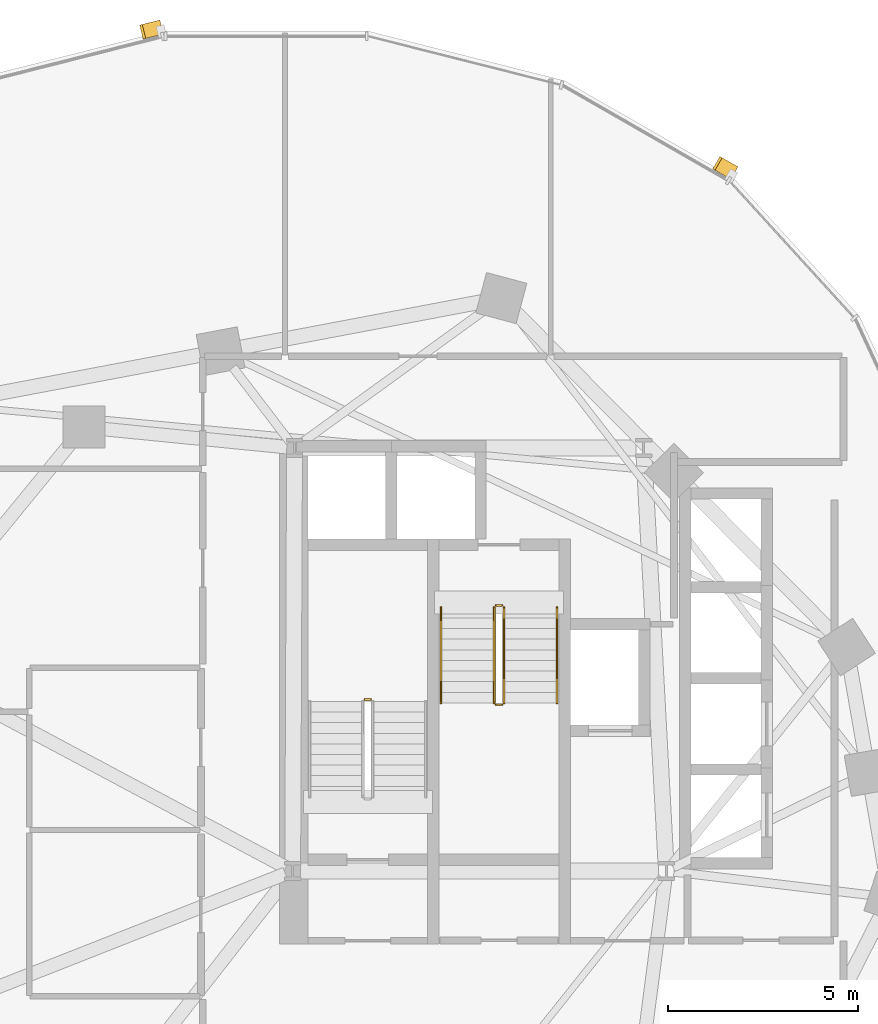
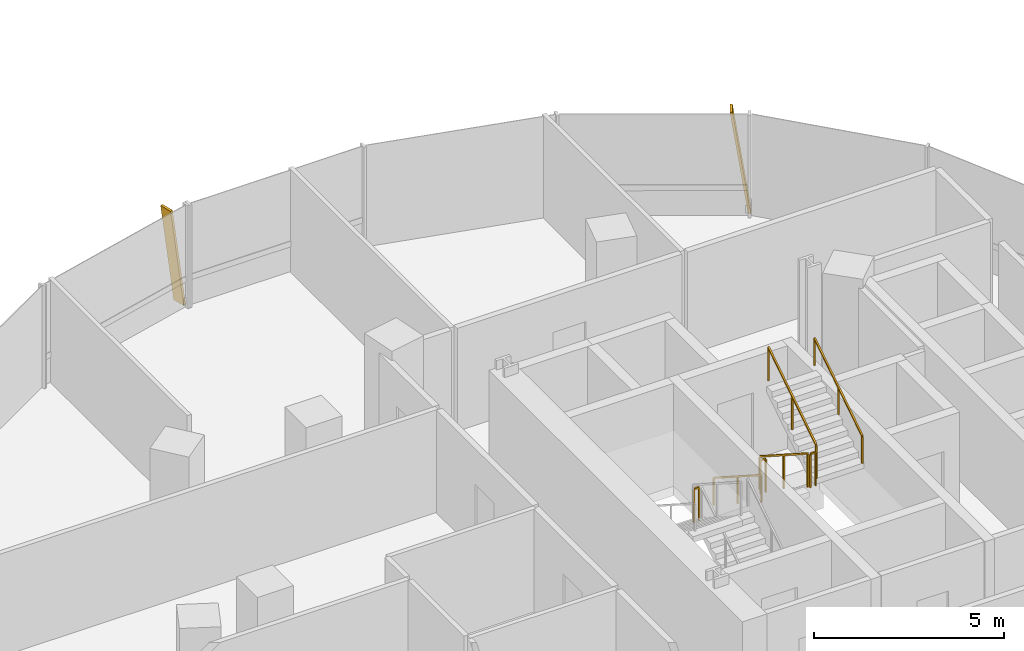
# One storey, part 19 of 21: 7 railings, 2 shading devices.
"""IFC4 building model written with IfcOpenShell, lengths in metres."""

from ifc_helpers import new_model, si_unit, direction, frame, origin, origin_2d, place, context, subcontext, project, spatial, rectangle, extrude, material, material_profile, profile_set, type_object, element, save


model = new_model("IFC4")

# Units and contexts
model_context = context("Model", 3, precision=1e-05, world=origin(), true_north=direction((0.0, 1.0)))
body_context = subcontext(model_context, "Body", "Model", "MODEL_VIEW")
ifc_project = project(units=[si_unit("LENGTHUNIT", "METRE"), si_unit("AREAUNIT", "SQUARE_METRE"), si_unit("VOLUMEUNIT", "CUBIC_METRE"), si_unit("PLANEANGLEUNIT", "RADIAN"), si_unit("MASSUNIT", "GRAM", prefix="KILO"), si_unit("THERMODYNAMICTEMPERATUREUNIT", "KELVIN"), si_unit("POWERUNIT", "WATT")], contexts=[model_context])

# Site, building, storey
site_placement = place(None, origin())
site = spatial("IfcSite", under=ifc_project, at=site_placement, CompositionType="ELEMENT")
building_placement = place(site_placement, origin())
building = spatial("IfcBuilding", under=site, at=building_placement, Name="Cundina Bronze Exchange", CompositionType="ELEMENT")
storey_placement = place(building_placement, frame((0.0, 0.0, 121.39990234375)))
storey = spatial("IfcBuildingStorey", under=building, at=storey_placement, Name="L31", CompositionType="ELEMENT", Elevation=121.39990234375)

# Railings
ifc_material_1 = material(Name="Steel ASTM A36 Painted", Category="steel")
railing_type_1 = type_object("IfcRailingType", Name="RLG-HND-900", PredefinedType="HANDRAIL", material=ifc_material_1)
railing_1_placement = place(storey_placement, frame((-27.389892578125, 10.85009765625, 0.18017578125)))
element("IfcRailing", 1, at=railing_1_placement, inside=storey, type_object=railing_type_1, Name="L31 ST-W2 stair handrail 1", PredefinedType="HANDRAIL", context=body_context, shape_type="SweptSolid", body=[
    extrude(rectangle(XDim=0.048095703125, YDim=0.048095703125, at=origin_2d()), frame((0.0, 0.0, 0.8759765625), z_axis=(0.0, -0.841199657755, 0.540724639528), x_axis=(1.0, 0.0, 0.0)), (0.0, 0.0, 1.0), 2.995849609375),
    extrude(rectangle(XDim=0.0419921875, YDim=0.0419921875, at=origin_2d()), origin(), (0.0, 0.0, 1.0), 0.851806640625),
    extrude(rectangle(XDim=0.0419921875, YDim=0.0419921875, at=origin_2d()), frame((0.0, -1.260009765625, 0.81005859375)), (0.0, 0.0, 1.0), 0.851806640625),
    extrude(rectangle(XDim=0.0419921875, YDim=0.0419921875, at=origin_2d()), frame((0.0, -2.52001953125, 1.619873046875)), (0.0, 0.0, 1.0), 0.851806640625),
])
railing_2_placement = place(storey_placement, frame((-24.330078125, 8.330078125, 1.97998046875)))
element("IfcRailing", 2, at=railing_2_placement, inside=storey, type_object=railing_type_1, Name="L31 ST-W2 stair handrail 2", PredefinedType="HANDRAIL", context=body_context, shape_type="SweptSolid", body=[
    extrude(rectangle(XDim=0.048095703125, YDim=0.048095703125, at=origin_2d()), frame((0.0, 0.0, 0.8759765625), z_axis=(0.0, 0.841162588446, 0.540782303519), x_axis=(-1.0, 0.0, 0.0)), (0.0, 0.0, 1.0), 2.995849609375),
    extrude(rectangle(XDim=0.0419921875, YDim=0.0419921875, at=origin_2d()), origin(), (0.0, 0.0, 1.0), 0.851806640625),
    extrude(rectangle(XDim=0.0419921875, YDim=0.0419921875, at=origin_2d()), frame((0.0, 1.260009765625, 0.81005859375)), (0.0, 0.0, 1.0), 0.851806640625),
    extrude(rectangle(XDim=0.0419921875, YDim=0.0419921875, at=origin_2d()), frame((0.0, 2.52001953125, 1.6201171875)), (0.0, 0.0, 1.0), 0.851806640625),
])
railing_type_2 = type_object("IfcRailingType", Name="RLG-STG-1100", PredefinedType="GUARDRAIL", material=ifc_material_1)
railing_3_placement = place(storey_placement, frame((-29.239990234375, 8.419921875, 1.800048828125)))
element("IfcRailing", 3, at=railing_3_placement, inside=storey, type_object=railing_type_2, Name="L31 ST-W1 stair guard 2", PredefinedType="GUARDRAIL", context=body_context, shape_type="SweptSolid", body=[
    extrude(rectangle(XDim=0.048095703125, YDim=0.048095703125, at=origin_2d()), frame((0.0, 0.0, 1.076171875), z_axis=(-1.0, 0.0, 0.0), x_axis=(0.0, -1.0, 0.0)), (0.0, 0.0, 1.0), 0.159912109375),
    extrude(rectangle(XDim=0.0419921875, YDim=0.0419921875, at=origin_2d()), origin(), (0.0, 0.0, 1.0), 1.052001953125),
    extrude(rectangle(XDim=0.0419921875, YDim=0.0419921875, at=origin_2d()), frame((-0.159912109375, 0.0, 0.0)), (0.0, 0.0, 1.0), 1.052001953125),
])
railing_4_placement = place(storey_placement, frame((-25.989990234375, 10.85009765625, 0.18017578125)))
element("IfcRailing", 4, at=railing_4_placement, inside=storey, type_object=railing_type_2, Name="L31 ST-W2 stair guard 1", PredefinedType="GUARDRAIL", context=body_context, shape_type="SweptSolid", body=[
    extrude(rectangle(XDim=0.048095703125, YDim=0.048095703125, at=origin_2d()), frame((0.0, 0.0, 1.076171875), z_axis=(0.0, -0.841199657755, 0.540724639528), x_axis=(1.0, 0.0, 0.0)), (0.0, 0.0, 1.0), 2.995849609375),
    extrude(rectangle(XDim=0.0419921875, YDim=0.0419921875, at=origin_2d()), origin(), (0.0, 0.0, 1.0), 1.052001953125),
    extrude(rectangle(XDim=0.0419921875, YDim=0.0419921875, at=origin_2d()), frame((0.0, -1.260009765625, 0.81005859375)), (0.0, 0.0, 1.0), 1.052001953125),
    extrude(rectangle(XDim=0.0419921875, YDim=0.0419921875, at=origin_2d()), frame((0.0, -2.52001953125, 1.619873046875)), (0.0, 0.0, 1.0), 1.052001953125),
])
railing_5_placement = place(storey_placement, frame((-25.93994140625, 8.280029296875, 1.800048828125)))
element("IfcRailing", 5, at=railing_5_placement, inside=storey, type_object=railing_type_2, Name="L31 ST-W2 stair guard 2", PredefinedType="GUARDRAIL", context=body_context, shape_type="SweptSolid", body=[
    extrude(rectangle(XDim=0.048095703125, YDim=0.048095703125, at=origin_2d()), frame((0.0, 0.0, 1.076171875), z_axis=(1.0, 0.0, 0.0), x_axis=(0.0, 1.0, 0.0)), (0.0, 0.0, 1.0), 0.159912109375),
    extrude(rectangle(XDim=0.0419921875, YDim=0.0419921875, at=origin_2d()), origin(), (0.0, 0.0, 1.0), 1.052001953125),
    extrude(rectangle(XDim=0.0419921875, YDim=0.0419921875, at=origin_2d()), frame((0.159912109375, 0.0, 0.0)), (0.0, 0.0, 1.0), 1.052001953125),
])
railing_6_placement = place(storey_placement, frame((-25.72998046875, 8.330078125, 1.97998046875)))
element("IfcRailing", 6, at=railing_6_placement, inside=storey, type_object=railing_type_2, Name="L31 ST-W2 stair guard 3", PredefinedType="GUARDRAIL", context=body_context, shape_type="SweptSolid", body=[
    extrude(rectangle(XDim=0.048095703125, YDim=0.048095703125, at=origin_2d()), frame((0.0, 0.0, 1.076171875), z_axis=(0.0, 0.841162588446, 0.540782303519), x_axis=(-1.0, 0.0, 0.0)), (0.0, 0.0, 1.0), 2.995849609375),
    extrude(rectangle(XDim=0.0419921875, YDim=0.0419921875, at=origin_2d()), origin(), (0.0, 0.0, 1.0), 1.052001953125),
    extrude(rectangle(XDim=0.0419921875, YDim=0.0419921875, at=origin_2d()), frame((0.0, 1.260009765625, 0.81005859375)), (0.0, 0.0, 1.0), 1.052001953125),
    extrude(rectangle(XDim=0.0419921875, YDim=0.0419921875, at=origin_2d()), frame((0.0, 2.52001953125, 1.6201171875)), (0.0, 0.0, 1.0), 1.052001953125),
])
railing_7_placement = place(storey_placement, frame((-25.93994140625, 10.89990234375, 0.0)))
element("IfcRailing", 7, at=railing_7_placement, inside=storey, type_object=railing_type_2, Name="L31 ST-W2 stair guard 4", PredefinedType="GUARDRAIL", context=body_context, shape_type="SweptSolid", body=[
    extrude(rectangle(XDim=0.048095703125, YDim=0.048095703125, at=origin_2d()), frame((0.0, 0.0, 1.076171875), z_axis=(1.0, 0.0, 0.0), x_axis=(0.0, 1.0, 0.0)), (0.0, 0.0, 1.0), 0.159912109375),
    extrude(rectangle(XDim=0.0419921875, YDim=0.0419921875, at=origin_2d()), origin(), (0.0, 0.0, 1.0), 1.052001953125),
    extrude(rectangle(XDim=0.0419921875, YDim=0.0419921875, at=origin_2d()), frame((0.159912109375, 0.0, 0.0)), (0.0, 0.0, 1.0), 1.052001953125),
])

# Shading devices
ifc_material_2 = material(Name="Anodised Bronze Aluminium 6063-T6", Category="aluminium")
ifc_material_profile = material_profile(ifc_material_2, rectangle(XDim=0.070068359375, YDim=0.3798828125, at=origin_2d()), Name="FIN70X380", Category="aluminium")
ifc_profile_set = profile_set([ifc_material_profile], Name="Anodised Bronze Aluminium 6063-T6")
shading_device_type = type_object("IfcShadingDeviceType", Name="SHD-FIN-BRZ380", PredefinedType="USERDEFINED", material=ifc_profile_set)
for number, where, z_axis, x_axis, name in (
    (8, (-19.685791015625, 22.314208984375, 0.02001953125), (-0.126324692219, 0.072534823274, 0.989333498649), (0.857958278167, -0.492634108109, 0.145668213594), "L31 Diagonal Bronze Solar Fin 5"),
    (9, (-34.787353515625, 26.138427734375, 0.02001953125), (-0.141217047268, -0.035711761166, 0.989334329575), (0.95914051701, 0.242552848478, 0.145662570088), "L31 Diagonal Bronze Solar Fin 1"),
):
    element("IfcShadingDevice", number, at=place(storey_placement, frame(where, z_axis=z_axis, x_axis=x_axis)), inside=storey, type_object=shading_device_type, Name=name, ObjectType="FIN", PredefinedType="USERDEFINED", context=body_context, shape_type="SweptSolid", body=[
        extrude(rectangle(XDim=0.070068359375, YDim=0.3798828125, at=origin_2d()), origin(), (0.0, 0.0, 1.0), 3.295166015625),
    ])

save(model, "model.ifc")
